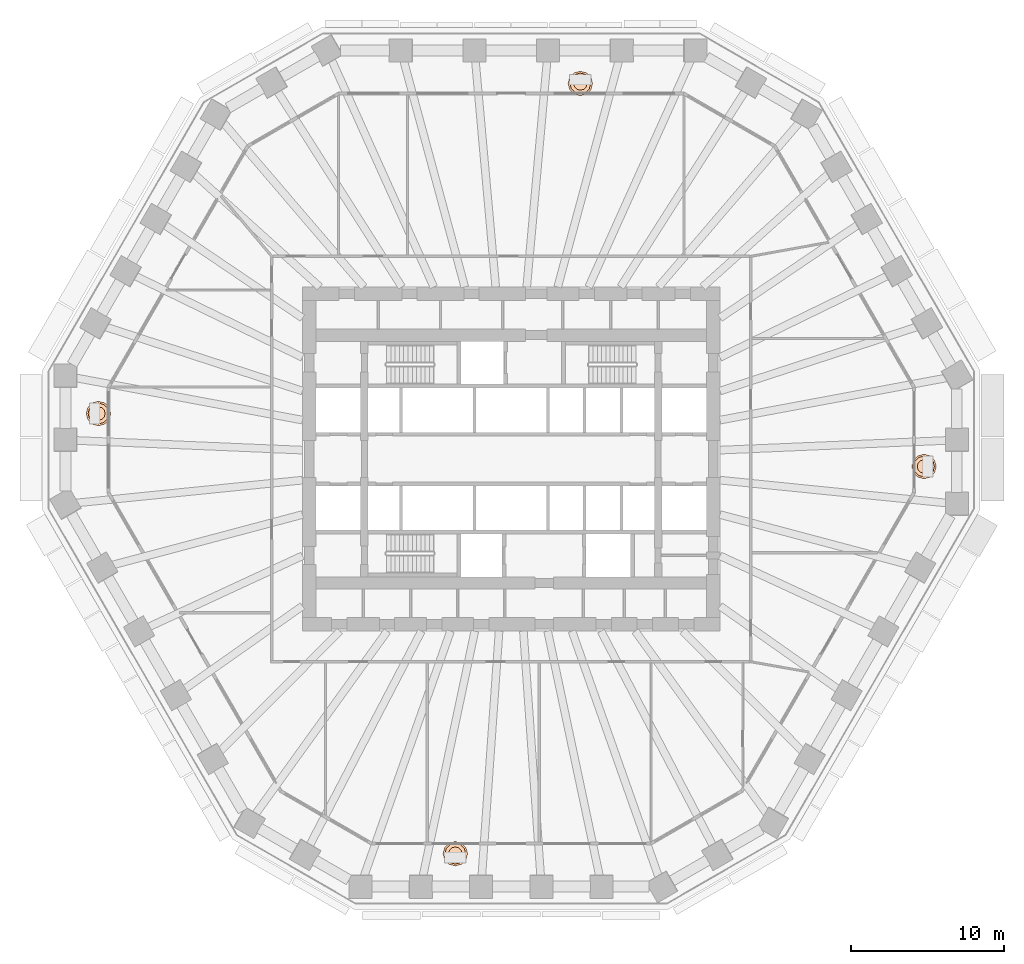
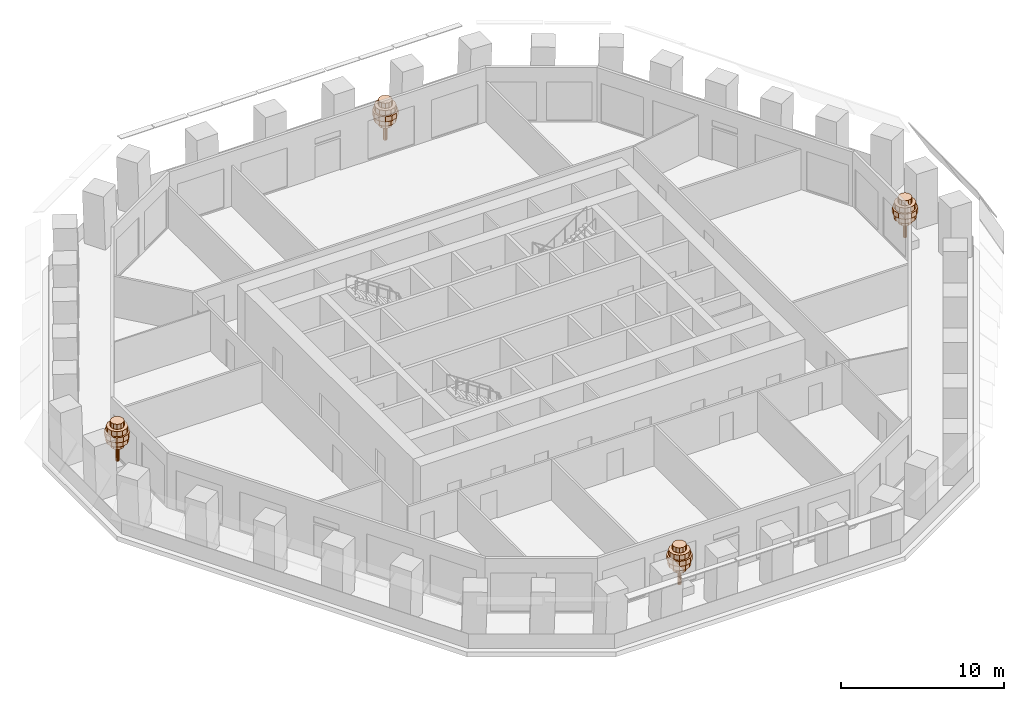
# One storey, part 12 of 12: 4 geographic elements.
"""IFC4 building model written with IfcOpenShell, lengths in metres."""

from ifc_helpers import new_model, si_unit, direction, frame, origin, place, context, subcontext, project, spatial, polyline, outline, extrude, material, type_object, element, save


model = new_model("IFC4")

# Units and contexts
model_context = context("Model", 3, precision=1e-05, world=origin(), true_north=direction((0.0, 1.0)))
body_context = subcontext(model_context, "Body", "Model", "MODEL_VIEW")
ifc_project = project(units=[si_unit("LENGTHUNIT", "METRE"), si_unit("AREAUNIT", "SQUARE_METRE"), si_unit("VOLUMEUNIT", "CUBIC_METRE"), si_unit("PLANEANGLEUNIT", "RADIAN"), si_unit("MASSUNIT", "GRAM", prefix="KILO")], contexts=[model_context])

# Site, building, storey
site_placement = place(None, origin())
site = spatial("IfcSite", under=ifc_project, at=site_placement, CompositionType="ELEMENT")
building_placement = place(site_placement, origin())
building = spatial("IfcBuilding", under=site, at=building_placement, Name="Frailejon Research Tower", CompositionType="ELEMENT")
storey_placement = place(building_placement, frame((0.0, 0.0, 54.199951171875)))
storey = spatial("IfcBuildingStorey", under=building, at=storey_placement, Name="L12", CompositionType="ELEMENT", Elevation=54.199951171875)

# Geographic elements
ifc_material = material(Name="Foliage, green")
geographic_element_type = type_object("IfcGeographicElementType", Name="Frailejon tree, loggia", PredefinedType="USERDEFINED", material=ifc_material)
geographic_element_1_placement = place(storey_placement, frame((26.981201171875, -0.487548828125, 0.60009765625)))
element("IfcGeographicElement", 1, at=geographic_element_1_placement, inside=storey, type_object=geographic_element_type, Name="Tree L12", ObjectType="TREE", PredefinedType="USERDEFINED", context=body_context, shape_type="SweptSolid", body=[
    extrude(outline(polyline([(0.1298828125, 0.0), (0.112548828125, 0.06494140625), (0.06494140625, 0.112548828125), (0.0, 0.1298828125), (-0.06494140625, 0.112548828125), (-0.112548828125, 0.06494140625), (-0.1298828125, 0.0), (-0.112548828125, -0.06494140625), (-0.06494140625, -0.112548828125), (0.0, -0.1298828125), (0.06494140625, -0.112548828125), (0.112548828125, -0.06494140625), (0.1298828125, 0.0)])), origin(), (0.0, 0.0, 1.0), 2.239990234375),
    extrude(outline(polyline([(0.43994140625, 0.0), (0.381103515625, 0.219970703125), (0.219970703125, 0.381103515625), (0.0, 0.43994140625), (-0.219970703125, 0.381103515625), (-0.381103515625, 0.219970703125), (-0.43994140625, 0.0), (-0.381103515625, -0.219970703125), (-0.219970703125, -0.381103515625), (0.0, -0.43994140625), (0.219970703125, -0.381103515625), (0.381103515625, -0.219970703125), (0.43994140625, 0.0)])), frame((0.0, 0.0, 1.10009765625)), (0.0, 0.0, 1.0), 0.3798828125),
    extrude(outline(polyline([(0.719970703125, 0.0), (0.62353515625, 0.360107421875), (0.360107421875, 0.62353515625), (0.0, 0.719970703125), (-0.360107421875, 0.62353515625), (-0.62353515625, 0.360107421875), (-0.719970703125, 0.0), (-0.62353515625, -0.360107421875), (-0.360107421875, -0.62353515625), (0.0, -0.719970703125), (0.360107421875, -0.62353515625), (0.62353515625, -0.360107421875), (0.719970703125, 0.0)])), frame((0.0, 0.0, 1.47998046875)), (0.0, 0.0, 1.0), 0.3798828125),
    extrude(outline(polyline([(0.800048828125, 0.0), (0.69287109375, 0.39990234375), (0.39990234375, 0.69287109375), (0.0, 0.800048828125), (-0.39990234375, 0.69287109375), (-0.69287109375, 0.39990234375), (-0.800048828125, 0.0), (-0.69287109375, -0.39990234375), (-0.39990234375, -0.69287109375), (0.0, -0.800048828125), (0.39990234375, -0.69287109375), (0.69287109375, -0.39990234375), (0.800048828125, 0.0)])), frame((0.0, 0.0, 1.860107421875)), (0.0, 0.0, 1.0), 0.3798828125),
    extrude(outline(polyline([(0.679931640625, 0.0), (0.5888671875, 0.340087890625), (0.340087890625, 0.5888671875), (0.0, 0.679931640625), (-0.340087890625, 0.5888671875), (-0.5888671875, 0.340087890625), (-0.679931640625, 0.0), (-0.5888671875, -0.340087890625), (-0.340087890625, -0.5888671875), (0.0, -0.679931640625), (0.340087890625, -0.5888671875), (0.5888671875, -0.340087890625), (0.679931640625, 0.0)])), frame((0.0, 0.0, 2.239990234375)), (0.0, 0.0, 1.0), 0.3798828125),
    extrude(outline(polyline([(0.43994140625, 0.0), (0.381103515625, 0.219970703125), (0.219970703125, 0.381103515625), (0.0, 0.43994140625), (-0.219970703125, 0.381103515625), (-0.381103515625, 0.219970703125), (-0.43994140625, 0.0), (-0.381103515625, -0.219970703125), (-0.219970703125, -0.381103515625), (0.0, -0.43994140625), (0.219970703125, -0.381103515625), (0.381103515625, -0.219970703125), (0.43994140625, 0.0)])), frame((0.0, 0.0, 2.6201171875)), (0.0, 0.0, 1.0), 0.3798828125),
])
geographic_element_2_placement = place(storey_placement, frame((4.517333984375, 24.550048828125, 0.60009765625)))
element("IfcGeographicElement", 2, at=geographic_element_2_placement, inside=storey, type_object=geographic_element_type, Name="Tree L12", ObjectType="TREE", PredefinedType="USERDEFINED", context=body_context, shape_type="SweptSolid", body=[
    extrude(outline(polyline([(0.1298828125, 0.0), (0.112548828125, 0.06494140625), (0.06494140625, 0.112548828125), (0.0, 0.1298828125), (-0.06494140625, 0.112548828125), (-0.112548828125, 0.06494140625), (-0.1298828125, 0.0), (-0.112548828125, -0.06494140625), (-0.06494140625, -0.112548828125), (0.0, -0.1298828125), (0.06494140625, -0.112548828125), (0.112548828125, -0.06494140625), (0.1298828125, 0.0)])), origin(), (0.0, 0.0, 1.0), 2.239990234375),
    extrude(outline(polyline([(0.43994140625, 0.0), (0.381103515625, 0.219970703125), (0.219970703125, 0.381103515625), (0.0, 0.43994140625), (-0.219970703125, 0.381103515625), (-0.381103515625, 0.219970703125), (-0.43994140625, 0.0), (-0.381103515625, -0.219970703125), (-0.219970703125, -0.381103515625), (0.0, -0.43994140625), (0.219970703125, -0.381103515625), (0.381103515625, -0.219970703125), (0.43994140625, 0.0)])), frame((0.0, 0.0, 1.10009765625)), (0.0, 0.0, 1.0), 0.3798828125),
    extrude(outline(polyline([(0.719970703125, 0.0), (0.62353515625, 0.360107421875), (0.360107421875, 0.62353515625), (0.0, 0.719970703125), (-0.360107421875, 0.62353515625), (-0.62353515625, 0.360107421875), (-0.719970703125, 0.0), (-0.62353515625, -0.360107421875), (-0.360107421875, -0.62353515625), (0.0, -0.719970703125), (0.360107421875, -0.62353515625), (0.62353515625, -0.360107421875), (0.719970703125, 0.0)])), frame((0.0, 0.0, 1.47998046875)), (0.0, 0.0, 1.0), 0.3798828125),
    extrude(outline(polyline([(0.800048828125, 0.0), (0.69287109375, 0.39990234375), (0.39990234375, 0.69287109375), (0.0, 0.800048828125), (-0.39990234375, 0.69287109375), (-0.69287109375, 0.39990234375), (-0.800048828125, 0.0), (-0.69287109375, -0.39990234375), (-0.39990234375, -0.69287109375), (0.0, -0.800048828125), (0.39990234375, -0.69287109375), (0.69287109375, -0.39990234375), (0.800048828125, 0.0)])), frame((0.0, 0.0, 1.860107421875)), (0.0, 0.0, 1.0), 0.3798828125),
    extrude(outline(polyline([(0.679931640625, 0.0), (0.5888671875, 0.340087890625), (0.340087890625, 0.5888671875), (0.0, 0.679931640625), (-0.340087890625, 0.5888671875), (-0.5888671875, 0.340087890625), (-0.679931640625, 0.0), (-0.5888671875, -0.340087890625), (-0.340087890625, -0.5888671875), (0.0, -0.679931640625), (0.340087890625, -0.5888671875), (0.5888671875, -0.340087890625), (0.679931640625, 0.0)])), frame((0.0, 0.0, 2.239990234375)), (0.0, 0.0, 1.0), 0.3798828125),
    extrude(outline(polyline([(0.43994140625, 0.0), (0.381103515625, 0.219970703125), (0.219970703125, 0.381103515625), (0.0, 0.43994140625), (-0.219970703125, 0.381103515625), (-0.381103515625, 0.219970703125), (-0.43994140625, 0.0), (-0.381103515625, -0.219970703125), (-0.219970703125, -0.381103515625), (0.0, -0.43994140625), (0.219970703125, -0.381103515625), (0.381103515625, -0.219970703125), (0.43994140625, 0.0)])), frame((0.0, 0.0, 2.6201171875)), (0.0, 0.0, 1.0), 0.3798828125),
])
geographic_element_3_placement = place(storey_placement, frame((-26.981201171875, 2.9765625, 0.60009765625)))
element("IfcGeographicElement", 3, at=geographic_element_3_placement, inside=storey, type_object=geographic_element_type, Name="Tree L12", ObjectType="TREE", PredefinedType="USERDEFINED", context=body_context, shape_type="SweptSolid", body=[
    extrude(outline(polyline([(0.1298828125, 0.0), (0.112548828125, 0.06494140625), (0.06494140625, 0.112548828125), (0.0, 0.1298828125), (-0.06494140625, 0.112548828125), (-0.112548828125, 0.06494140625), (-0.1298828125, 0.0), (-0.112548828125, -0.06494140625), (-0.06494140625, -0.112548828125), (0.0, -0.1298828125), (0.06494140625, -0.112548828125), (0.112548828125, -0.06494140625), (0.1298828125, 0.0)])), origin(), (0.0, 0.0, 1.0), 2.239990234375),
    extrude(outline(polyline([(0.43994140625, 0.0), (0.381103515625, 0.219970703125), (0.219970703125, 0.381103515625), (0.0, 0.43994140625), (-0.219970703125, 0.381103515625), (-0.381103515625, 0.219970703125), (-0.43994140625, 0.0), (-0.381103515625, -0.219970703125), (-0.219970703125, -0.381103515625), (0.0, -0.43994140625), (0.219970703125, -0.381103515625), (0.381103515625, -0.219970703125), (0.43994140625, 0.0)])), frame((0.0, 0.0, 1.10009765625)), (0.0, 0.0, 1.0), 0.3798828125),
    extrude(outline(polyline([(0.719970703125, 0.0), (0.62353515625, 0.360107421875), (0.360107421875, 0.62353515625), (0.0, 0.719970703125), (-0.360107421875, 0.62353515625), (-0.62353515625, 0.360107421875), (-0.719970703125, 0.0), (-0.62353515625, -0.360107421875), (-0.360107421875, -0.62353515625), (0.0, -0.719970703125), (0.360107421875, -0.62353515625), (0.62353515625, -0.360107421875), (0.719970703125, 0.0)])), frame((0.0, 0.0, 1.47998046875)), (0.0, 0.0, 1.0), 0.3798828125),
    extrude(outline(polyline([(0.800048828125, 0.0), (0.69287109375, 0.39990234375), (0.39990234375, 0.69287109375), (0.0, 0.800048828125), (-0.39990234375, 0.69287109375), (-0.69287109375, 0.39990234375), (-0.800048828125, 0.0), (-0.69287109375, -0.39990234375), (-0.39990234375, -0.69287109375), (0.0, -0.800048828125), (0.39990234375, -0.69287109375), (0.69287109375, -0.39990234375), (0.800048828125, 0.0)])), frame((0.0, 0.0, 1.860107421875)), (0.0, 0.0, 1.0), 0.3798828125),
    extrude(outline(polyline([(0.679931640625, 0.0), (0.5888671875, 0.340087890625), (0.340087890625, 0.5888671875), (0.0, 0.679931640625), (-0.340087890625, 0.5888671875), (-0.5888671875, 0.340087890625), (-0.679931640625, 0.0), (-0.5888671875, -0.340087890625), (-0.340087890625, -0.5888671875), (0.0, -0.679931640625), (0.340087890625, -0.5888671875), (0.5888671875, -0.340087890625), (0.679931640625, 0.0)])), frame((0.0, 0.0, 2.239990234375)), (0.0, 0.0, 1.0), 0.3798828125),
    extrude(outline(polyline([(0.43994140625, 0.0), (0.381103515625, 0.219970703125), (0.219970703125, 0.381103515625), (0.0, 0.43994140625), (-0.219970703125, 0.381103515625), (-0.381103515625, 0.219970703125), (-0.43994140625, 0.0), (-0.381103515625, -0.219970703125), (-0.219970703125, -0.381103515625), (0.0, -0.43994140625), (0.219970703125, -0.381103515625), (0.381103515625, -0.219970703125), (0.43994140625, 0.0)])), frame((0.0, 0.0, 2.6201171875)), (0.0, 0.0, 1.0), 0.3798828125),
])
geographic_element_4_placement = place(storey_placement, frame((-3.6552734375, -25.79443359375, 0.60009765625)))
element("IfcGeographicElement", 4, at=geographic_element_4_placement, inside=storey, type_object=geographic_element_type, Name="Tree L12", ObjectType="TREE", PredefinedType="USERDEFINED", context=body_context, shape_type="SweptSolid", body=[
    extrude(outline(polyline([(0.1298828125, 0.0), (0.112548828125, 0.06494140625), (0.06494140625, 0.112548828125), (0.0, 0.1298828125), (-0.06494140625, 0.112548828125), (-0.112548828125, 0.06494140625), (-0.1298828125, 0.0), (-0.112548828125, -0.06494140625), (-0.06494140625, -0.112548828125), (0.0, -0.1298828125), (0.06494140625, -0.112548828125), (0.112548828125, -0.06494140625), (0.1298828125, 0.0)])), origin(), (0.0, 0.0, 1.0), 2.239990234375),
    extrude(outline(polyline([(0.43994140625, 0.0), (0.381103515625, 0.219970703125), (0.219970703125, 0.381103515625), (0.0, 0.43994140625), (-0.219970703125, 0.381103515625), (-0.381103515625, 0.219970703125), (-0.43994140625, 0.0), (-0.381103515625, -0.219970703125), (-0.219970703125, -0.381103515625), (0.0, -0.43994140625), (0.219970703125, -0.381103515625), (0.381103515625, -0.219970703125), (0.43994140625, 0.0)])), frame((0.0, 0.0, 1.10009765625)), (0.0, 0.0, 1.0), 0.3798828125),
    extrude(outline(polyline([(0.719970703125, 0.0), (0.62353515625, 0.360107421875), (0.360107421875, 0.62353515625), (0.0, 0.719970703125), (-0.360107421875, 0.62353515625), (-0.62353515625, 0.360107421875), (-0.719970703125, 0.0), (-0.62353515625, -0.360107421875), (-0.360107421875, -0.62353515625), (0.0, -0.719970703125), (0.360107421875, -0.62353515625), (0.62353515625, -0.360107421875), (0.719970703125, 0.0)])), frame((0.0, 0.0, 1.47998046875)), (0.0, 0.0, 1.0), 0.3798828125),
    extrude(outline(polyline([(0.800048828125, 0.0), (0.69287109375, 0.39990234375), (0.39990234375, 0.69287109375), (0.0, 0.800048828125), (-0.39990234375, 0.69287109375), (-0.69287109375, 0.39990234375), (-0.800048828125, 0.0), (-0.69287109375, -0.39990234375), (-0.39990234375, -0.69287109375), (0.0, -0.800048828125), (0.39990234375, -0.69287109375), (0.69287109375, -0.39990234375), (0.800048828125, 0.0)])), frame((0.0, 0.0, 1.860107421875)), (0.0, 0.0, 1.0), 0.3798828125),
    extrude(outline(polyline([(0.679931640625, 0.0), (0.5888671875, 0.340087890625), (0.340087890625, 0.5888671875), (0.0, 0.679931640625), (-0.340087890625, 0.5888671875), (-0.5888671875, 0.340087890625), (-0.679931640625, 0.0), (-0.5888671875, -0.340087890625), (-0.340087890625, -0.5888671875), (0.0, -0.679931640625), (0.340087890625, -0.5888671875), (0.5888671875, -0.340087890625), (0.679931640625, 0.0)])), frame((0.0, 0.0, 2.239990234375)), (0.0, 0.0, 1.0), 0.3798828125),
    extrude(outline(polyline([(0.43994140625, 0.0), (0.381103515625, 0.219970703125), (0.219970703125, 0.381103515625), (0.0, 0.43994140625), (-0.219970703125, 0.381103515625), (-0.381103515625, 0.219970703125), (-0.43994140625, 0.0), (-0.381103515625, -0.219970703125), (-0.219970703125, -0.381103515625), (0.0, -0.43994140625), (0.219970703125, -0.381103515625), (0.381103515625, -0.219970703125), (0.43994140625, 0.0)])), frame((0.0, 0.0, 2.6201171875)), (0.0, 0.0, 1.0), 0.3798828125),
])

save(model, "model.ifc")
